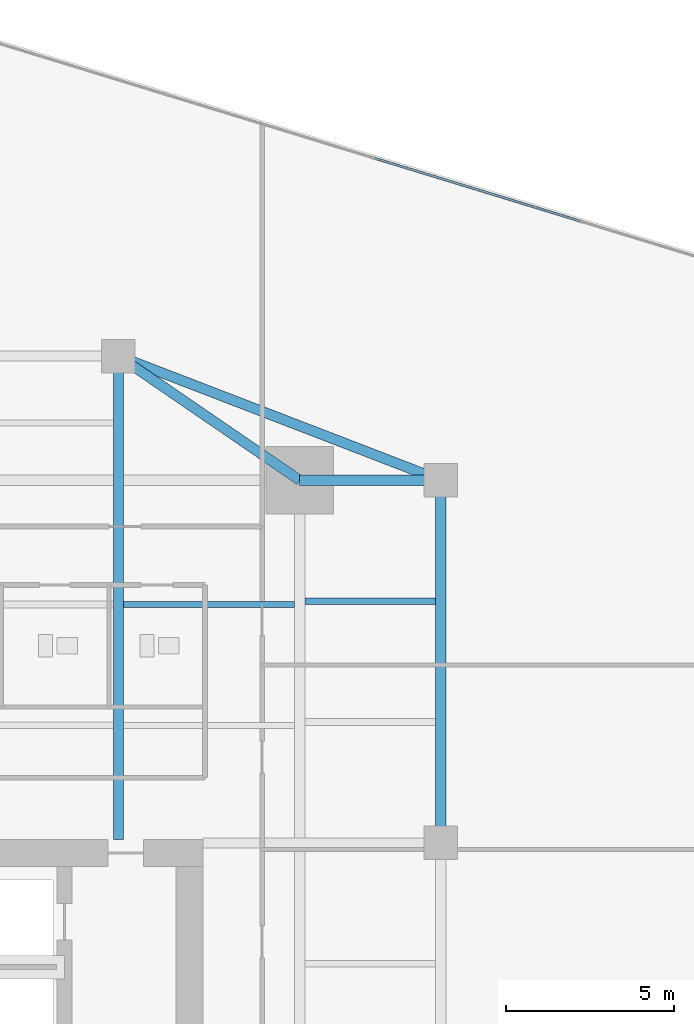
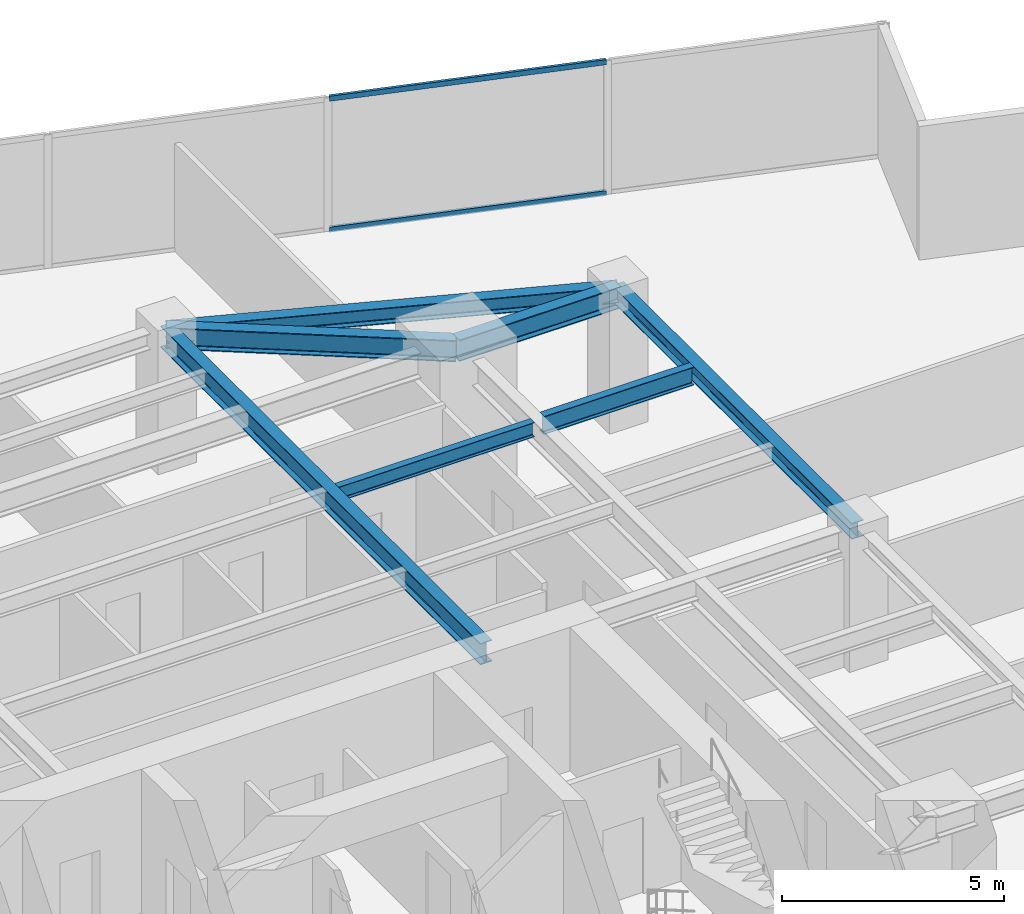
# One storey, part 18 of 26: 7 beams, 2 members, 1 element without a shape of its own.
"""IFC4 building model written with IfcOpenShell, lengths in metres."""

from ifc_helpers import new_model, si_unit, direction, frame, origin, origin_2d, place, context, subcontext, project, spatial, hollow_rectangle, i_section, extrude, source, transform, mapped, material, material_profile, profile_set, type_object, type_shapes, element, aggregate, save


model = new_model("IFC4")

# Units and contexts
model_context = context("Model", 3, precision=1e-05, world=origin(), true_north=direction((0.0, 1.0)))
body_context = subcontext(model_context, "Body", "Model", "MODEL_VIEW")
ifc_project = project(units=[si_unit("LENGTHUNIT", "METRE"), si_unit("AREAUNIT", "SQUARE_METRE"), si_unit("VOLUMEUNIT", "CUBIC_METRE"), si_unit("PLANEANGLEUNIT", "RADIAN"), si_unit("MASSUNIT", "GRAM", prefix="KILO")], contexts=[model_context])

# Site, building, storey
site_placement = place(None, origin())
site = spatial("IfcSite", under=ifc_project, at=site_placement, CompositionType="ELEMENT")
building_placement = place(site_placement, origin())
building = spatial("IfcBuilding", under=site, at=building_placement, Name="Krantzveldt Concourse Tower", CompositionType="ELEMENT")
storey_placement = place(building_placement, frame((0.0, 0.0, 113.75)))
storey = spatial("IfcBuildingStorey", under=building, at=storey_placement, Name="L27", CompositionType="ELEMENT", Elevation=113.75)

# Beams
ifc_material_1 = material(Name="Steel S355JR", Category="steel")
ifc_material_profile_1 = material_profile(ifc_material_1, i_section(OverallWidth=0.300048828125, OverallDepth=0.590087890625, WebThickness=0.012939453125, FlangeThickness=0.02490234375, FilletRadius=0.027099609375, at=origin_2d()), Name="Steel S355JR", Category="steel")
ifc_profile_set_1 = profile_set([ifc_material_profile_1], Name="Steel S355JR - HEA 600")
beam_type_1 = type_object("IfcBeamType", Name="BM-B-HEA600", PredefinedType="BEAM", material=ifc_profile_set_1)
shared_shape_1 = source(origin(), body_context, "Body", "SweptSolid", [
    extrude(i_section(OverallWidth=0.300048828125, OverallDepth=0.590087890625, WebThickness=0.012939453125, FlangeThickness=0.02490234375, FilletRadius=0.027099609375, at=origin_2d()), origin(), (0.0, 0.0, 1.0), 14.39990234375),
])
beam_1_placement = place(storey_placement, frame((41.39990234375, 26.800048828125, 3.375), z_axis=(0.0, 1.0, 0.0), x_axis=(-1.0, 0.0, 0.0)))
element("IfcBeam", 1, at=beam_1_placement, inside=storey, type_object=beam_type_1, Name="L27 Tower Girder BG-CNE", PredefinedType="BEAM", context=body_context, shape_type="MappedRepresentation", body=[
    mapped(shared_shape_1, transform((0.0, 0.0, 0.0), x_axis=(1.0, 0.0, 0.0), y_axis=(0.0, 1.0, 0.0), z_axis=(0.0, 0.0, 1.0), scale=1.0)),
])
ifc_material_profile_2 = material_profile(ifc_material_1, i_section(OverallWidth=0.300048828125, OverallDepth=0.43994140625, WebThickness=0.011474609375, FlangeThickness=0.02099609375, FilletRadius=0.027099609375, at=origin_2d()), Name="Steel S355JR", Category="steel")
ifc_profile_set_2 = profile_set([ifc_material_profile_2], Name="Steel S355JR - HEA 450")
beam_type_2 = type_object("IfcBeamType", Name="BM-SP-HEA450", PredefinedType="SPANDREL", material=ifc_profile_set_2)
shared_shape_2 = source(origin(), body_context, "Body", "SweptSolid", [
    extrude(i_section(OverallWidth=0.300048828125, OverallDepth=0.43994140625, WebThickness=0.011474609375, FlangeThickness=0.02099609375, FilletRadius=0.027099609375, at=origin_2d()), origin(), (0.0, 0.0, 1.0), 10.800048828125),
])
beam_2_placement = place(storey_placement, frame((51.0, 37.5, 3.449951171875), z_axis=(0.0, -1.0, 0.0), x_axis=(1.0, 0.0, 0.0)))
element("IfcBeam", 2, at=beam_2_placement, inside=storey, type_object=beam_type_2, Name="L27 Tower Girder SP-R06", PredefinedType="SPANDREL", context=body_context, shape_type="MappedRepresentation", body=[
    mapped(shared_shape_2, transform((0.0, 0.0, 0.0), x_axis=(1.0, 0.0, 0.0), y_axis=(0.0, 1.0, 0.0), z_axis=(0.0, 0.0, 1.0), scale=1.0)),
])
shared_shape_3 = source(origin(), body_context, "Body", "SweptSolid", [
    extrude(i_section(OverallWidth=0.300048828125, OverallDepth=0.43994140625, WebThickness=0.011474609375, FlangeThickness=0.02099609375, FilletRadius=0.027099609375, at=origin_2d()), origin(), (0.0, 0.0, 1.0), 10.288330078125),
])
type_shapes(beam_type_2, [shared_shape_2, shared_shape_3])
beam_3_placement = place(storey_placement, frame((41.39990234375, 41.199951171875, 3.449951171875), z_axis=(0.933097690408, -0.359622997257, 0.0), x_axis=(0.359622997257, 0.933097690408, 0.0)))
element("IfcBeam", 3, at=beam_3_placement, inside=storey, type_object=beam_type_2, Name="L27 Tower Girder SP-R05", PredefinedType="SPANDREL", context=body_context, shape_type="MappedRepresentation", body=[
    mapped(shared_shape_3, transform((0.0, 0.0, 0.0), x_axis=(1.0, 0.0, 0.0), y_axis=(0.0, 1.0, 0.0), z_axis=(0.0, 0.0, 1.0), scale=1.0)),
])
shared_shape_4 = source(origin(), body_context, "Body", "SweptSolid", [
    extrude(i_section(OverallWidth=0.300048828125, OverallDepth=0.590087890625, WebThickness=0.012939453125, FlangeThickness=0.02490234375, FilletRadius=0.027099609375, at=origin_2d()), origin(), (0.0, 0.0, 1.0), 4.199951171875),
])
beam_4_placement = place(storey_placement, frame((46.800048828125, 37.5, 3.375), z_axis=(1.0, 0.0, 0.0), x_axis=(0.0, 1.0, 0.0)))
element("IfcBeam", 4, at=beam_4_placement, inside=storey, type_object=beam_type_1, Name="L27 Tower Girder BR-RR3", PredefinedType="BEAM", context=body_context, shape_type="MappedRepresentation", body=[
    mapped(shared_shape_4, transform((0.0, 0.0, 0.0), x_axis=(1.0, 0.0, 0.0), y_axis=(0.0, 1.0, 0.0), z_axis=(0.0, 0.0, 1.0), scale=1.0)),
])
shared_shape_5 = source(origin(), body_context, "Body", "SweptSolid", [
    extrude(i_section(OverallWidth=0.300048828125, OverallDepth=0.590087890625, WebThickness=0.012939453125, FlangeThickness=0.02490234375, FilletRadius=0.027099609375, at=origin_2d()), origin(), (0.0, 0.0, 1.0), 6.546142578125),
])
type_shapes(beam_type_1, [shared_shape_1, shared_shape_4, shared_shape_5])
beam_5_placement = place(storey_placement, frame((46.800048828125, 37.5, 3.375), z_axis=(-0.824942999484, 0.565215930068, 0.0), x_axis=(-0.565215930068, -0.824942999484, 0.0)))
element("IfcBeam", 5, at=beam_5_placement, inside=storey, type_object=beam_type_1, Name="L27 Tower Girder BR-RR4", PredefinedType="BEAM", context=body_context, shape_type="MappedRepresentation", body=[
    mapped(shared_shape_5, transform((0.0, 0.0, 0.0), x_axis=(1.0, 0.0, 0.0), y_axis=(0.0, 1.0, 0.0), z_axis=(0.0, 0.0, 1.0), scale=1.0)),
])
ifc_material_profile_3 = material_profile(ifc_material_1, i_section(OverallWidth=0.179931640625, OverallDepth=0.39990234375, WebThickness=0.008544921875, FlangeThickness=0.013427734375, FilletRadius=0.02099609375, at=origin_2d()), Name="Steel S355JR", Category="steel")
ifc_profile_set_3 = profile_set([ifc_material_profile_3], Name="Steel S355JR - IPE 400")
beam_type_3 = type_object("IfcBeamType", Name="BM-J-IPE400", PredefinedType="JOIST", material=ifc_profile_set_3)
shared_shape_6 = source(origin(), body_context, "Body", "SweptSolid", [
    extrude(i_section(OverallWidth=0.179931640625, OverallDepth=0.39990234375, WebThickness=0.008544921875, FlangeThickness=0.013427734375, FilletRadius=0.02099609375, at=origin_2d()), origin(), (0.0, 0.0, 1.0), 5.099853515625),
])
type_shapes(beam_type_3, [shared_shape_6])
beam_6_placement = place(storey_placement, frame((41.550048828125, 33.800048828125, 3.469970703125), z_axis=(1.0, 0.0, 0.0), x_axis=(0.0, 1.0, 0.0)))
element("IfcBeam", 6, at=beam_6_placement, inside=storey, type_object=beam_type_3, Name="L27 Secondary Floor Joist JN-E2", PredefinedType="JOIST", context=body_context, shape_type="MappedRepresentation", body=[
    mapped(shared_shape_6, transform((0.0, 0.0, 0.0), x_axis=(1.0, 0.0, 0.0), y_axis=(0.0, 1.0, 0.0), z_axis=(0.0, 0.0, 1.0), scale=1.0)),
])
ifc_material_profile_4 = material_profile(ifc_material_1, i_section(OverallWidth=0.199951171875, OverallDepth=0.5, WebThickness=0.01025390625, FlangeThickness=0.01611328125, FilletRadius=0.02099609375, at=origin_2d()), Name="Steel S355JR", Category="steel")
ifc_profile_set_4 = profile_set([ifc_material_profile_4], Name="Steel S355JR - IPE 500")
beam_type_4 = type_object("IfcBeamType", Name="BM-J-IPE500", PredefinedType="JOIST", material=ifc_profile_set_4)
shared_shape_7 = source(origin(), body_context, "Body", "SweptSolid", [
    extrude(i_section(OverallWidth=0.199951171875, OverallDepth=0.5, WebThickness=0.01025390625, FlangeThickness=0.01611328125, FilletRadius=0.02099609375, at=origin_2d()), origin(), (0.0, 0.0, 1.0), 3.900146484375),
])
type_shapes(beam_type_4, [shared_shape_7])
beam_7_placement = place(storey_placement, frame((46.949951171875, 33.89990234375, 3.419921875), z_axis=(1.0, 0.0, 0.0), x_axis=(0.0, 1.0, 0.0)))
element("IfcBeam", 7, at=beam_7_placement, inside=storey, type_object=beam_type_4, Name="L27 Secondary Floor Joist JE-4", PredefinedType="JOIST", context=body_context, shape_type="MappedRepresentation", body=[
    mapped(shared_shape_7, transform((0.0, 0.0, 0.0), x_axis=(1.0, 0.0, 0.0), y_axis=(0.0, 1.0, 0.0), z_axis=(0.0, 0.0, 1.0), scale=1.0)),
])

# Curtain wall, members
ifc_material_2 = material(Name="Anodised aluminium 6063-T6", Category="aluminium")
curtain_wall_type = type_object("IfcCurtainWallType", Name="CW2", PredefinedType="USERDEFINED", material=ifc_material_2)
curtain_wall_placement = place(storey_placement, origin())
curtain_wall = element("IfcCurtainWall", 8, at=curtain_wall_placement, inside=storey, type_object=curtain_wall_type, Name="CW-L27-F10", ObjectType="UNITISED CURTAIN WALL", PredefinedType="USERDEFINED")
ifc_material_profile_5 = material_profile(ifc_material_2, hollow_rectangle(XDim=0.070068359375, YDim=0.139892578125, WallThickness=0.0048828125, at=origin_2d()), Name="Anodised aluminium 6063-T6", Category="aluminium")
ifc_profile_set_5 = profile_set([ifc_material_profile_5], Name="Anodised aluminium 6063-T6 - ALU-TRAN 140x70x5")
member_type = type_object("IfcMemberType", Name="CW-TRN-150", PredefinedType="USERDEFINED", material=ifc_profile_set_5)
shared_shape_8 = source(origin(), body_context, "Body", "SweptSolid", [
    extrude(hollow_rectangle(XDim=0.070068359375, YDim=0.139892578125, WallThickness=0.0048828125, at=origin_2d()), origin(), (0.0, 0.0, 1.0), 6.396728515625),
])
type_shapes(member_type, [shared_shape_8])
member_1_placement = place(storey_placement, frame((55.14990234375, 45.220458984375, 0.034912109375), z_axis=(-0.956308895855, 0.292358163404, 0.0), x_axis=(-0.292358163404, -0.956308895855, 0.0)))
member_1 = element("IfcMember", 9, at=member_1_placement, type_object=member_type, Name="CW-Z12 transom 2.1", ObjectType="TRANSOM", PredefinedType="USERDEFINED", context=body_context, shape_type="MappedRepresentation", body=[
    mapped(shared_shape_8, transform((0.0, 0.0, 0.0), x_axis=(1.0, 0.0, 0.0), y_axis=(0.0, 1.0, 0.0), z_axis=(0.0, 0.0, 1.0), scale=1.0)),
])
member_2_placement = place(storey_placement, frame((55.14990234375, 45.220458984375, 3.635009765625), z_axis=(-0.956308895855, 0.292358163404, 0.0), x_axis=(-0.292358163404, -0.956308895855, 0.0)))
member_2 = element("IfcMember", 10, at=member_2_placement, type_object=member_type, Name="CW-Z12 transom 2.2", ObjectType="TRANSOM", PredefinedType="USERDEFINED", context=body_context, shape_type="MappedRepresentation", body=[
    mapped(shared_shape_8, transform((0.0, 0.0, 0.0), x_axis=(1.0, 0.0, 0.0), y_axis=(0.0, 1.0, 0.0), z_axis=(0.0, 0.0, 1.0), scale=1.0)),
])
aggregate(curtain_wall, [member_1, member_2])

save(model, "model.ifc")
